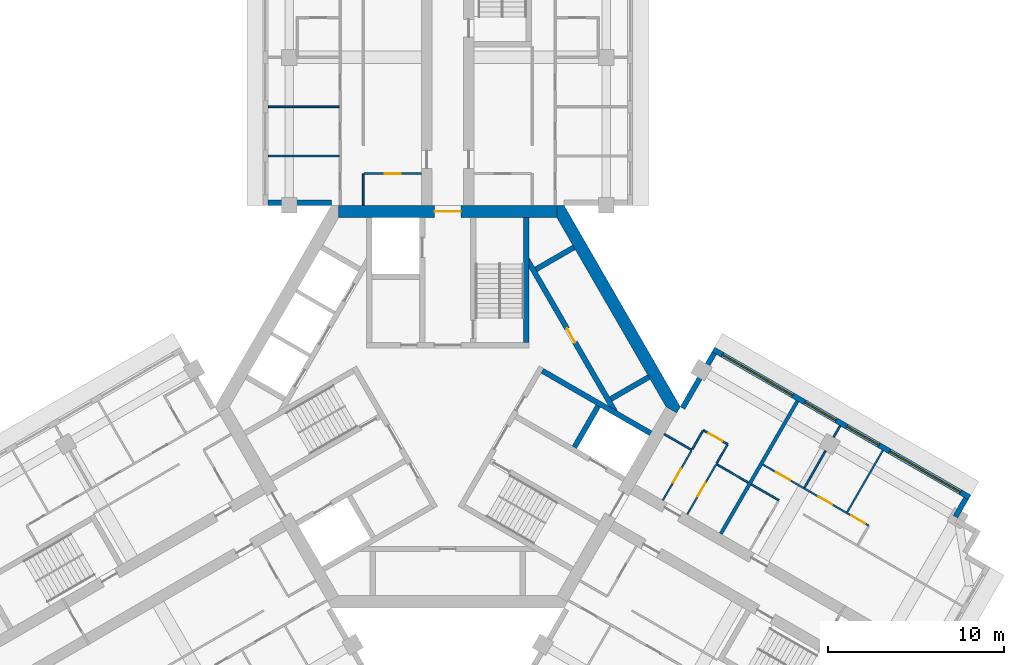
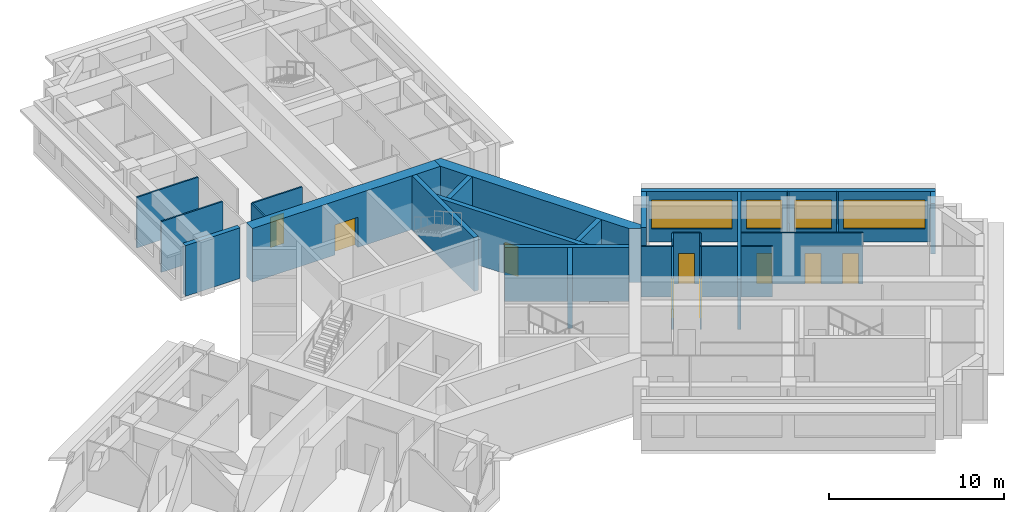
# One storey, part 6 of 10: 29 walls, 9 doors, 4 windows, 13 openings.
"""IFC4 building model written with IfcOpenShell, lengths in metres."""

from ifc_helpers import new_model, si_unit, direction, frame, frame_2d, origin, place, context, subcontext, project, spatial, polyline, rectangle, outline, extrude, material, layer, layer_set, type_object, element, fill, save


model = new_model("IFC4")

# Units and contexts
model_context = context("Model", 3, precision=1e-05, world=origin(), true_north=direction((0.0, 1.0)))
body_context = subcontext(model_context, "Body", "Model", "MODEL_VIEW")
ifc_project = project(units=[si_unit("LENGTHUNIT", "METRE"), si_unit("AREAUNIT", "SQUARE_METRE"), si_unit("VOLUMEUNIT", "CUBIC_METRE"), si_unit("PLANEANGLEUNIT", "RADIAN"), si_unit("MASSUNIT", "GRAM", prefix="KILO")], contexts=[model_context])

# Site, building, storey
site_placement = place(None, origin())
site = spatial("IfcSite", under=ifc_project, at=site_placement, CompositionType="ELEMENT")
building_placement = place(site_placement, origin())
building = spatial("IfcBuilding", under=site, at=building_placement, Name="Impinga Residences", CompositionType="ELEMENT")
storey_placement = place(building_placement, frame((0.0, 0.0, 263.5)))
storey = spatial("IfcBuildingStorey", under=building, at=storey_placement, Name="L66", CompositionType="ELEMENT", Elevation=263.5)

# Walls
ifc_material_1 = material(Name="Terracotta rainscreen on blockwork", Category="masonry")
ifc_layer_1 = layer(ifc_material_1, 0.300048828125)
ifc_layer_set_1 = layer_set([ifc_layer_1], Name="EW1 external wall, terracotta rainscreen on blockwork 300")
wall_type_1 = type_object("IfcWallType", Name="EW1 external wall, terracotta rainscreen on blockwork 300", PredefinedType="SOLIDWALL", material=ifc_layer_set_1)
wall_1_placement = place(storey_placement, frame((-6.60009765625, 11.58154296875, 0.0), z_axis=(0.0, 0.0, 1.0), x_axis=(-1.0, 0.0, 0.0)))
element("IfcWall", 1, at=wall_1_placement, inside=storey, type_object=wall_type_1, Name="External wall EW1 L66", PredefinedType="SOLIDWALL", context=body_context, shape_type="SweptSolid", body=[
    extrude(rectangle(XDim=3.599853515625, YDim=0.300048828125, at=frame_2d((1.7998046875, 0.0))), origin(), (0.0, 0.0, 1.0), 3.530029296875),
])
wall_2_placement = place(storey_placement, frame((13.329833984375, -0.074951171875, 0.0), z_axis=(0.0, 0.0, 1.0), x_axis=(0.500012057535, 0.866018442252, 0.0)))
element("IfcWall", 2, at=wall_2_placement, inside=storey, type_object=wall_type_1, Name="External wall EW1 L66", PredefinedType="SOLIDWALL", context=body_context, shape_type="SweptSolid", body=[
    extrude(rectangle(XDim=3.60009765625, YDim=0.300048828125, at=frame_2d((1.800048828125, 0.0))), origin(), (0.0, 0.0, 1.0), 3.530029296875),
])

# Wall, openings, windows
wall_3_placement = place(storey_placement, frame((15.074951171875, 3.24755859375, 0.0), z_axis=(0.0, 0.0, 1.0), x_axis=(0.86602925447, -0.499993330357, 0.0)))
wall_3 = element("IfcWall", 3, at=wall_3_placement, inside=storey, type_object=wall_type_1, Name="External wall EW1 L66", PredefinedType="SOLIDWALL", context=body_context, shape_type="SweptSolid", body=[
    extrude(rectangle(XDim=16.800048828125, YDim=0.300048828125, at=frame_2d((8.39990234375, 0.0))), origin(), (0.0, 0.0, 1.0), 3.530029296875),
])
opening_1_placement = place(wall_3_placement, frame((0.60009765625, 0.0, 0.89990234375)))
opening_1 = element("IfcOpeningElement", 4, at=opening_1_placement, cuts=wall_3, Name="Opening W3", PredefinedType="OPENING", context=body_context, shape_type="SweptSolid", body=[
    extrude(rectangle(XDim=4.60009765625, YDim=2.050048828125, at=frame_2d((2.300048828125, 1.02490234375))), frame((0.0, 0.159912109375, 0.0), z_axis=(0.0, -1.0, 0.0), x_axis=(1.0, 0.0, 0.0)), (0.0, 0.0, 1.0), 0.320068359375),
])
opening_2_placement = place(wall_3_placement, frame((6.0, 0.0, 0.89990234375)))
opening_2 = element("IfcOpeningElement", 5, at=opening_2_placement, cuts=wall_3, Name="Opening W14", PredefinedType="OPENING", context=body_context, shape_type="SweptSolid", body=[
    extrude(rectangle(XDim=2.050048828125, YDim=2.050048828125, at=frame_2d((1.02490234375, 1.02490234375))), frame((0.0, 0.159912109375, 0.0), z_axis=(0.0, -1.0, 0.0), x_axis=(1.0, 0.0, 0.0)), (0.0, 0.0, 1.0), 0.320068359375),
])
opening_3_placement = place(wall_3_placement, frame((8.75, 0.0, 0.89990234375)))
opening_3 = element("IfcOpeningElement", 6, at=opening_3_placement, cuts=wall_3, Name="Opening W9", PredefinedType="OPENING", context=body_context, shape_type="SweptSolid", body=[
    extrude(rectangle(XDim=2.10009765625, YDim=2.050048828125, at=frame_2d((1.050048828125, 1.02490234375))), frame((0.0, 0.159912109375, 0.0), z_axis=(0.0, -1.0, 0.0), x_axis=(1.0, 0.0, 0.0)), (0.0, 0.0, 1.0), 0.320068359375),
])
opening_4_placement = place(wall_3_placement, frame((11.550048828125, 0.0, 0.89990234375)))
opening_4 = element("IfcOpeningElement", 7, at=opening_4_placement, cuts=wall_3, Name="Opening W10", PredefinedType="OPENING", context=body_context, shape_type="SweptSolid", body=[
    extrude(rectangle(XDim=4.64990234375, YDim=2.050048828125, at=frame_2d((2.324951171875, 1.02490234375))), frame((0.0, 0.159912109375, 0.0), z_axis=(0.0, -1.0, 0.0), x_axis=(1.0, 0.0, 0.0)), (0.0, 0.0, 1.0), 0.320068359375),
])
ifc_material_2 = material(Name="Aluminium window, clear double glazing", Category="aluminium")
window_type_1 = type_object("IfcWindowType", Name="W10 ribbon window 4650x2050", PartitioningType="SINGLE_PANEL", PredefinedType="WINDOW", material=ifc_material_2)
window_1_placement = place(opening_4_placement, origin())
window_1 = element("IfcWindow", 8, at=window_1_placement, inside=storey, type_object=window_type_1, Name="Window L66", OverallHeight=2.050048828125, OverallWidth=4.64990234375, PartitioningType="SINGLE_PANEL", PredefinedType="WINDOW", context=body_context, shape_type="SweptSolid", body=[
    extrude(rectangle(XDim=4.64990234375, YDim=2.050048828125, at=frame_2d((2.324951171875, 1.02490234375))), frame((0.0, 0.030029296875, 0.0), z_axis=(0.0, -1.0, 0.0), x_axis=(1.0, 0.0, 0.0)), (0.0, 0.0, 1.0), 0.06005859375),
])
fill(opening_4, window_1)
window_type_2 = type_object("IfcWindowType", Name="W14 ribbon window 2050x2050", PartitioningType="SINGLE_PANEL", PredefinedType="WINDOW", material=ifc_material_2)
window_2_placement = place(opening_2_placement, origin())
window_2 = element("IfcWindow", 9, at=window_2_placement, inside=storey, type_object=window_type_2, Name="Window L66", OverallHeight=2.050048828125, OverallWidth=2.050048828125, PartitioningType="SINGLE_PANEL", PredefinedType="WINDOW", context=body_context, shape_type="SweptSolid", body=[
    extrude(rectangle(XDim=2.050048828125, YDim=2.050048828125, at=frame_2d((1.02490234375, 1.02490234375))), frame((0.0, 0.030029296875, 0.0), z_axis=(0.0, -1.0, 0.0), x_axis=(1.0, 0.0, 0.0)), (0.0, 0.0, 1.0), 0.06005859375),
])
fill(opening_2, window_2)
window_type_3 = type_object("IfcWindowType", Name="W3 ribbon window 4600x2050", PartitioningType="SINGLE_PANEL", PredefinedType="WINDOW", material=ifc_material_2)
window_3_placement = place(opening_1_placement, origin())
window_3 = element("IfcWindow", 10, at=window_3_placement, inside=storey, type_object=window_type_3, Name="Window L66", OverallHeight=2.050048828125, OverallWidth=4.60009765625, PartitioningType="SINGLE_PANEL", PredefinedType="WINDOW", context=body_context, shape_type="SweptSolid", body=[
    extrude(rectangle(XDim=4.60009765625, YDim=2.050048828125, at=frame_2d((2.300048828125, 1.02490234375))), frame((0.0, 0.030029296875, 0.0), z_axis=(0.0, -1.0, 0.0), x_axis=(1.0, 0.0, 0.0)), (0.0, 0.0, 1.0), 0.06005859375),
])
fill(opening_1, window_3)
window_type_4 = type_object("IfcWindowType", Name="W9 ribbon window 2100x2050", PartitioningType="SINGLE_PANEL", PredefinedType="WINDOW", material=ifc_material_2)
window_4_placement = place(opening_3_placement, origin())
window_4 = element("IfcWindow", 11, at=window_4_placement, inside=storey, type_object=window_type_4, Name="Window L66", OverallHeight=2.050048828125, OverallWidth=2.10009765625, PartitioningType="SINGLE_PANEL", PredefinedType="WINDOW", context=body_context, shape_type="SweptSolid", body=[
    extrude(rectangle(XDim=2.10009765625, YDim=2.050048828125, at=frame_2d((1.050048828125, 1.02490234375))), frame((0.0, 0.030029296875, 0.0), z_axis=(0.0, -1.0, 0.0), x_axis=(1.0, 0.0, 0.0)), (0.0, 0.0, 1.0), 0.06005859375),
])
fill(opening_3, window_4)

# Walls
wall_4_placement = place(storey_placement, frame((29.41943359375, -5.207275390625, 0.0), z_axis=(0.0, 0.0, 1.0), x_axis=(-0.500033551112, -0.866006032174, 0.0)))
element("IfcWall", 12, at=wall_4_placement, inside=storey, type_object=wall_type_1, Name="External wall EW1 L66", PredefinedType="SOLIDWALL", context=body_context, shape_type="SweptSolid", body=[
    extrude(rectangle(XDim=1.2001953125, YDim=0.300048828125, at=frame_2d((0.60009765625, 0.0))), origin(), (0.0, 0.0, 1.0), 3.530029296875),
])
ifc_material_3 = material(Name="Gypsum board on steel studs", Category="steel")
ifc_layer_2 = layer(ifc_material_3, 0.10009765625)
ifc_layer_set_2 = layer_set([ifc_layer_2], Name="Gypsum board on steel studs")
wall_type_2 = type_object("IfcWallType", Name="IP1 partition 100", PredefinedType="PARTITIONING", material=ifc_layer_set_2)
wall_5_placement = place(storey_placement, frame((-4.800048828125, 11.431640625, 0.0), z_axis=(0.0, 0.0, 1.0), x_axis=(0.0, 1.0, 0.0)))
element("IfcWall", 13, at=wall_5_placement, inside=storey, type_object=wall_type_2, Name="Partition L66-NA1:DIV0", PredefinedType="PARTITIONING", context=body_context, shape_type="SweptSolid", body=[
    extrude(rectangle(XDim=1.7998046875, YDim=0.10009765625, at=frame_2d((0.89990234375, 0.0))), origin(), (0.0, 0.0, 1.0), 3.530029296875),
])

# Wall, opening, door
wall_6_placement = place(storey_placement, frame((-1.5, 13.2314453125, 0.0), z_axis=(0.0, 0.0, 1.0), x_axis=(-1.0, 0.0, 0.0)))
wall_6 = element("IfcWall", 14, at=wall_6_placement, inside=storey, type_object=wall_type_2, Name="Partition L66-NA1:IB1", PredefinedType="PARTITIONING", context=body_context, shape_type="SweptSolid", body=[
    extrude(rectangle(XDim=3.25, YDim=0.10009765625, at=frame_2d((1.625, 0.0))), origin(), (0.0, 0.0, 1.0), 3.530029296875),
])
opening_5_placement = place(wall_6_placement, frame((1.175048828125, 0.0, 0.0)))
opening_5 = element("IfcOpeningElement", 15, at=opening_5_placement, cuts=wall_6, Name="Opening D2", PredefinedType="OPENING", context=body_context, shape_type="SweptSolid", body=[
    extrude(rectangle(XDim=0.89990234375, YDim=2.10009765625, at=frame_2d((0.449951171875, 1.050048828125))), frame((0.0, 0.06005859375, 0.0), z_axis=(0.0, -1.0, 0.0), x_axis=(1.0, 0.0, 0.0)), (0.0, 0.0, 1.0), 0.1201171875),
])
ifc_material_4 = material(Name="Timber door set", Category="wood")
door_type_1 = type_object("IfcDoorType", Name="D2 internal door 900x2100", OperationType="SINGLE_SWING_LEFT", PredefinedType="DOOR", material=ifc_material_4)
door_1_placement = place(opening_5_placement, origin())
door_1 = element("IfcDoor", 16, at=door_1_placement, inside=storey, type_object=door_type_1, Name="Apartment L66-NA1 bathroom door", OperationType="SINGLE_SWING_LEFT", OverallHeight=2.10009765625, OverallWidth=0.89990234375, PredefinedType="DOOR", context=body_context, shape_type="SweptSolid", body=[
    extrude(rectangle(XDim=0.89990234375, YDim=2.10009765625, at=frame_2d((0.449951171875, 1.050048828125))), frame((0.0, 0.02490234375, 0.0), z_axis=(0.0, -1.0, 0.0), x_axis=(1.0, 0.0, 0.0)), (0.0, 0.0, 1.0), 0.050048828125),
])
fill(opening_5, door_1)

# Walls
for number, where, z_axis, x_axis, name in (
    (17, (-6.14990234375, 14.2314453125, 0.0), (0.0, 0.0, 1.0), (-1.0, 0.0, 0.0), "Partition L66-NA1:OB1"),
    (18, (-6.14990234375, 17.031494140625, 0.0), (0.0, 0.0, 1.0), (-1.0, 0.0, 0.0), "Partition L66-NA1:OB2"),
):
    element("IfcWall", number, at=place(storey_placement, frame(where, z_axis=z_axis, x_axis=x_axis)), inside=storey, type_object=wall_type_2, Name=name, PredefinedType="PARTITIONING", context=body_context, shape_type="SweptSolid", body=[
        extrude(rectangle(XDim=4.050048828125, YDim=0.10009765625, at=frame_2d((2.02490234375, 0.0))), origin(), (0.0, 0.0, 1.0), 3.530029296875),
    ])
wall_7_placement = place(storey_placement, frame((12.300048828125, -1.558837890625, 0.0), z_axis=(0.0, 0.0, 1.0), x_axis=(0.866047807691, -0.499961193289, 0.0)))
element("IfcWall", 19, at=wall_7_placement, inside=storey, type_object=wall_type_2, Name="Partition L66-EA1:DIV0", PredefinedType="PARTITIONING", context=body_context, shape_type="SweptSolid", body=[
    extrude(rectangle(XDim=1.800048828125, YDim=0.10009765625, at=frame_2d((0.89990234375, 0.0))), origin(), (0.0, 0.0, 1.0), 3.530029296875),
])
wall_8_placement = place(storey_placement, frame((15.244384765625, -3.2587890625, 0.0), z_axis=(0.0, 0.0, 1.0), x_axis=(0.866038466041, -0.499977374825, 0.0)))
element("IfcWall", 20, at=wall_8_placement, inside=storey, type_object=wall_type_2, Name="Partition L66-EA1:DIV1", PredefinedType="PARTITIONING", context=body_context, shape_type="SweptSolid", body=[
    extrude(rectangle(XDim=2.10009765625, YDim=0.10009765625, at=frame_2d((1.050048828125, 0.0))), origin(), (0.0, 0.0, 1.0), 3.530029296875),
])

# Wall, opening, door
wall_9_placement = place(storey_placement, frame((14.5087890625, -1.3330078125, 0.0), z_axis=(0.0, 0.0, 1.0), x_axis=(0.866028054938, -0.499995408039, 0.0)))
wall_9 = element("IfcWall", 21, at=wall_9_placement, inside=storey, type_object=wall_type_2, Name="Partition L66-EA1:STRIP", PredefinedType="PARTITIONING", context=body_context, shape_type="SweptSolid", body=[
    extrude(rectangle(XDim=1.60009765625, YDim=0.10009765625, at=frame_2d((0.800048828125, 0.0))), origin(), (0.0, 0.0, 1.0), 3.530029296875),
])
opening_6_placement = place(wall_9_placement, frame((0.35009765625, 0.0, 0.0)))
opening_6 = element("IfcOpeningElement", 22, at=opening_6_placement, cuts=wall_9, Name="Opening D2", PredefinedType="OPENING", context=body_context, shape_type="SweptSolid", body=[
    extrude(rectangle(XDim=0.89990234375, YDim=2.10009765625, at=frame_2d((0.449951171875, 1.050048828125))), frame((0.0, 0.06005859375, 0.0), z_axis=(0.0, -1.0, 0.0), x_axis=(1.0, 0.0, 0.0)), (0.0, 0.0, 1.0), 0.1201171875),
])
door_2_placement = place(opening_6_placement, origin())
door_2 = element("IfcDoor", 23, at=door_2_placement, inside=storey, type_object=door_type_1, Name="Apartment L66-EA1 room door", OperationType="SINGLE_SWING_LEFT", OverallHeight=2.10009765625, OverallWidth=0.89990234375, PredefinedType="DOOR", context=body_context, shape_type="SweptSolid", body=[
    extrude(rectangle(XDim=0.89990234375, YDim=2.10009765625, at=frame_2d((0.449951171875, 1.050048828125))), frame((0.0, 0.02490234375, 0.0), z_axis=(0.0, -1.0, 0.0), x_axis=(1.0, 0.0, 0.0)), (0.0, 0.0, 1.0), 0.050048828125),
])
fill(opening_6, door_2)

# Walls
wall_10_placement = place(storey_placement, frame((13.8837890625, -2.41552734375, 0.0), z_axis=(0.0, 0.0, 1.0), x_axis=(0.500033551112, 0.866006032174, 0.0)))
element("IfcWall", 24, at=wall_10_placement, inside=storey, type_object=wall_type_2, Name="Partition L66-EA1:SE0", PredefinedType="PARTITIONING", context=body_context, shape_type="SweptSolid", body=[
    extrude(rectangle(XDim=1.2001953125, YDim=0.10009765625, at=frame_2d((0.60009765625, 0.0))), origin(), (0.0, 0.0, 1.0), 3.530029296875),
])
wall_11_placement = place(storey_placement, frame((15.26953125, -3.215576171875, 0.0), z_axis=(0.0, 0.0, 1.0), x_axis=(0.499880961361, 0.866094119867, 0.0)))
element("IfcWall", 25, at=wall_11_placement, inside=storey, type_object=wall_type_2, Name="Partition L66-EA1:SE1", PredefinedType="PARTITIONING", context=body_context, shape_type="SweptSolid", body=[
    extrude(rectangle(XDim=1.199951171875, YDim=0.10009765625, at=frame_2d((0.60009765625, 0.0))), origin(), (0.0, 0.0, 1.0), 3.530029296875),
])

# Wall, opening, door
wall_12_placement = place(storey_placement, frame((12.208740234375, -5.316650390625, 0.0), z_axis=(0.0, 0.0, 1.0), x_axis=(0.500017246033, 0.866015446554, 0.0)))
wall_12 = element("IfcWall", 26, at=wall_12_placement, inside=storey, type_object=wall_type_2, Name="Partition L66-EA1:IB1", PredefinedType="PARTITIONING", context=body_context, shape_type="SweptSolid", body=[
    extrude(rectangle(XDim=3.25, YDim=0.10009765625, at=frame_2d((1.625, 0.0))), origin(), (0.0, 0.0, 1.0), 3.530029296875),
])
opening_7_placement = place(wall_12_placement, frame((1.175048828125, 0.0, 0.0)))
opening_7 = element("IfcOpeningElement", 27, at=opening_7_placement, cuts=wall_12, Name="Opening D2", PredefinedType="OPENING", context=body_context, shape_type="SweptSolid", body=[
    extrude(rectangle(XDim=0.89990234375, YDim=2.10009765625, at=frame_2d((0.449951171875, 1.050048828125))), frame((0.0, 0.06005859375, 0.0), z_axis=(0.0, -1.0, 0.0), x_axis=(1.0, 0.0, 0.0)), (0.0, 0.0, 1.0), 0.1201171875),
])
door_3_placement = place(opening_7_placement, origin())
door_3 = element("IfcDoor", 28, at=door_3_placement, inside=storey, type_object=door_type_1, Name="Apartment L66-EA1 bathroom door", OperationType="SINGLE_SWING_LEFT", OverallHeight=2.10009765625, OverallWidth=0.89990234375, PredefinedType="DOOR", context=body_context, shape_type="SweptSolid", body=[
    extrude(rectangle(XDim=0.89990234375, YDim=2.10009765625, at=frame_2d((0.449951171875, 1.050048828125))), frame((0.0, 0.02490234375, 0.0), z_axis=(0.0, -1.0, 0.0), x_axis=(1.0, 0.0, 0.0)), (0.0, 0.0, 1.0), 0.050048828125),
])
fill(opening_7, door_3)

wall_13_placement = place(storey_placement, frame((13.594482421875, -6.11669921875, 0.0), z_axis=(0.0, 0.0, 1.0), x_axis=(0.500017246033, 0.866015446554, 0.0)))
wall_13 = element("IfcWall", 29, at=wall_13_placement, inside=storey, type_object=wall_type_2, Name="Partition L66-EA1:IB2", PredefinedType="PARTITIONING", context=body_context, shape_type="SweptSolid", body=[
    extrude(rectangle(XDim=3.25, YDim=0.10009765625, at=frame_2d((1.625, 0.0))), origin(), (0.0, 0.0, 1.0), 3.530029296875),
])
opening_8_placement = place(wall_13_placement, frame((1.175048828125, 0.0, 0.0)))
opening_8 = element("IfcOpeningElement", 30, at=opening_8_placement, cuts=wall_13, Name="Opening D2", PredefinedType="OPENING", context=body_context, shape_type="SweptSolid", body=[
    extrude(rectangle(XDim=0.89990234375, YDim=2.10009765625, at=frame_2d((0.449951171875, 1.050048828125))), frame((0.0, 0.06005859375, 0.0), z_axis=(0.0, -1.0, 0.0), x_axis=(1.0, 0.0, 0.0)), (0.0, 0.0, 1.0), 0.1201171875),
])
door_4_placement = place(opening_8_placement, origin())
door_4 = element("IfcDoor", 31, at=door_4_placement, inside=storey, type_object=door_type_1, Name="Apartment L66-EA1 WC door", OperationType="SINGLE_SWING_LEFT", OverallHeight=2.10009765625, OverallWidth=0.89990234375, PredefinedType="DOOR", context=body_context, shape_type="SweptSolid", body=[
    extrude(rectangle(XDim=0.89990234375, YDim=2.10009765625, at=frame_2d((0.449951171875, 1.050048828125))), frame((0.0, 0.02490234375, 0.0), z_axis=(0.0, -1.0, 0.0), x_axis=(1.0, 0.0, 0.0)), (0.0, 0.0, 1.0), 0.050048828125),
])
fill(opening_8, door_4)

# Wall
wall_14_placement = place(storey_placement, frame((17.236328125, -4.408935546875, 0.0), z_axis=(0.0, 0.0, 1.0), x_axis=(0.866047807691, -0.499961193289, 0.0)))
element("IfcWall", 32, at=wall_14_placement, inside=storey, type_object=wall_type_2, Name="Partition L66-EA2:DIV0", PredefinedType="PARTITIONING", context=body_context, shape_type="SweptSolid", body=[
    extrude(rectangle(XDim=1.800048828125, YDim=0.10009765625, at=frame_2d((0.89990234375, 0.0))), origin(), (0.0, 0.0, 1.0), 3.530029296875),
])

# Wall, openings, doors
wall_15_placement = place(storey_placement, frame((17.88623046875, -3.282958984375, 0.0), z_axis=(0.0, 0.0, 1.0), x_axis=(0.866025305473, -0.500000170281, 0.0)))
wall_15 = element("IfcWall", 33, at=wall_15_placement, inside=storey, type_object=wall_type_2, Name="Partition L66-EA2:STRIP", PredefinedType="PARTITIONING", context=body_context, shape_type="SweptSolid", body=[
    extrude(rectangle(XDim=6.9501953125, YDim=0.10009765625, at=frame_2d((3.47509765625, 0.0))), origin(), (0.0, 0.0, 1.0), 3.530029296875),
])
opening_9_placement = place(wall_15_placement, frame((0.875, 0.0, 0.0)))
opening_9 = element("IfcOpeningElement", 34, at=opening_9_placement, cuts=wall_15, Name="Opening D2", PredefinedType="OPENING", context=body_context, shape_type="SweptSolid", body=[
    extrude(rectangle(XDim=0.89990234375, YDim=2.10009765625, at=frame_2d((0.449951171875, 1.050048828125))), frame((0.0, 0.06005859375, 0.0), z_axis=(0.0, -1.0, 0.0), x_axis=(1.0, 0.0, 0.0)), (0.0, 0.0, 1.0), 0.1201171875),
])
opening_10_placement = place(wall_15_placement, frame((3.64990234375, 0.0, 0.0)))
opening_10 = element("IfcOpeningElement", 35, at=opening_10_placement, cuts=wall_15, Name="Opening D2", PredefinedType="OPENING", context=body_context, shape_type="SweptSolid", body=[
    extrude(rectangle(XDim=0.89990234375, YDim=2.10009765625, at=frame_2d((0.449951171875, 1.050048828125))), frame((0.0, 0.06005859375, 0.0), z_axis=(0.0, -1.0, 0.0), x_axis=(1.0, 0.0, 0.0)), (0.0, 0.0, 1.0), 0.1201171875),
])
opening_11_placement = place(wall_15_placement, frame((5.800048828125, 0.0, 0.0)))
opening_11 = element("IfcOpeningElement", 36, at=opening_11_placement, cuts=wall_15, Name="Opening D2", PredefinedType="OPENING", context=body_context, shape_type="SweptSolid", body=[
    extrude(rectangle(XDim=0.89990234375, YDim=2.10009765625, at=frame_2d((0.449951171875, 1.050048828125))), frame((0.0, 0.06005859375, 0.0), z_axis=(0.0, -1.0, 0.0), x_axis=(1.0, 0.0, 0.0)), (0.0, 0.0, 1.0), 0.1201171875),
])
door_5_placement = place(opening_9_placement, origin())
door_5 = element("IfcDoor", 37, at=door_5_placement, inside=storey, type_object=door_type_1, Name="Apartment L66-EA2 room door", OperationType="SINGLE_SWING_LEFT", OverallHeight=2.10009765625, OverallWidth=0.89990234375, PredefinedType="DOOR", context=body_context, shape_type="SweptSolid", body=[
    extrude(rectangle(XDim=0.89990234375, YDim=2.10009765625, at=frame_2d((0.449951171875, 1.050048828125))), frame((0.0, 0.02490234375, 0.0), z_axis=(0.0, -1.0, 0.0), x_axis=(1.0, 0.0, 0.0)), (0.0, 0.0, 1.0), 0.050048828125),
])
fill(opening_9, door_5)
door_6_placement = place(opening_10_placement, origin())
door_6 = element("IfcDoor", 38, at=door_6_placement, inside=storey, type_object=door_type_1, Name="Apartment L66-EA2 room door", OperationType="SINGLE_SWING_RIGHT", OverallHeight=2.10009765625, OverallWidth=0.89990234375, PredefinedType="DOOR", context=body_context, shape_type="SweptSolid", body=[
    extrude(rectangle(XDim=0.89990234375, YDim=2.10009765625, at=frame_2d((0.449951171875, 1.050048828125))), frame((0.0, 0.02490234375, 0.0), z_axis=(0.0, -1.0, 0.0), x_axis=(1.0, 0.0, 0.0)), (0.0, 0.0, 1.0), 0.050048828125),
])
fill(opening_10, door_6)
door_7_placement = place(opening_11_placement, origin())
door_7 = element("IfcDoor", 39, at=door_7_placement, inside=storey, type_object=door_type_1, Name="Apartment L66-EA2 room door", OperationType="SINGLE_SWING_RIGHT", OverallHeight=2.10009765625, OverallWidth=0.89990234375, PredefinedType="DOOR", context=body_context, shape_type="SweptSolid", body=[
    extrude(rectangle(XDim=0.89990234375, YDim=2.10009765625, at=frame_2d((0.449951171875, 1.050048828125))), frame((0.0, 0.02490234375, 0.0), z_axis=(0.0, -1.0, 0.0), x_axis=(1.0, 0.0, 0.0)), (0.0, 0.0, 1.0), 0.050048828125),
])
fill(opening_11, door_7)

# Walls
wall_16_placement = place(storey_placement, frame((20.24951171875, -4.589599609375, 0.0), z_axis=(0.0, 0.0, 1.0), x_axis=(0.500077600433, 0.865980596518, 0.0)))
element("IfcWall", 40, at=wall_16_placement, inside=storey, type_object=wall_type_2, Name="Partition L66-EA2:OB1", PredefinedType="PARTITIONING", context=body_context, shape_type="SweptSolid", body=[
    extrude(rectangle(XDim=2.39990234375, YDim=0.10009765625, at=frame_2d((1.199951171875, 0.0))), origin(), (0.0, 0.0, 1.0), 2.47998046875),
])
wall_17_placement = place(storey_placement, frame((21.899658203125, -1.73193359375, 0.0), z_axis=(0.0, 0.0, 1.0), x_axis=(0.499919672301, 0.866071776036, 0.0)))
element("IfcWall", 41, at=wall_17_placement, inside=storey, type_object=wall_type_2, Name="Partition L66-EA2:OB1b", PredefinedType="PARTITIONING", context=body_context, shape_type="SweptSolid", body=[
    extrude(rectangle(XDim=0.75, YDim=0.10009765625, at=frame_2d((0.375, 0.0))), origin(), (0.0, 0.0, 1.0), 3.530029296875),
])
wall_18_placement = place(storey_placement, frame((22.674560546875, -5.98974609375, 0.0), z_axis=(0.0, 0.0, 1.0), x_axis=(0.499990325971, 0.866030989016, 0.0)))
element("IfcWall", 42, at=wall_18_placement, inside=storey, type_object=wall_type_2, Name="Partition L66-EA2:OB2", PredefinedType="PARTITIONING", context=body_context, shape_type="SweptSolid", body=[
    extrude(rectangle(XDim=4.0498046875, YDim=0.10009765625, at=frame_2d((2.02490234375, 0.0))), origin(), (0.0, 0.0, 1.0), 3.530029296875),
])
ifc_material_5 = material(Name="Concrete blockwork", Category="masonry")
ifc_layer_3 = layer(ifc_material_5, 0.199951171875)
ifc_layer_set_3 = layer_set([ifc_layer_3], Name="PW1 party wall between apartments 200")
wall_type_3 = type_object("IfcWallType", Name="PW1 party wall between apartments 200", PredefinedType="SOLIDWALL", material=ifc_layer_set_3)
wall_19_placement = place(storey_placement, frame((15.499755859375, -7.216796875, 0.0), z_axis=(0.0, 0.0, 1.0), x_axis=(0.500008278454, 0.866020624164, 0.0)))
element("IfcWall", 43, at=wall_19_placement, inside=storey, type_object=wall_type_3, Name="Party wall between apartments L66-EA1:PARTY", PredefinedType="SOLIDWALL", context=body_context, shape_type="SweptSolid", body=[
    extrude(rectangle(XDim=8.699951171875, YDim=0.199951171875, at=frame_2d((4.35009765625, 0.0))), origin(), (0.0, 0.0, 1.0), 3.530029296875),
])

# Wall, opening, door
ifc_material_6 = material(Name="Concrete C60/75", Category="concrete")
ifc_layer_4 = layer(ifc_material_6, 0.699951171875)
ifc_layer_set_4 = layer_set([ifc_layer_4], Name="Concrete C60/75")
wall_type_4 = type_object("IfcWallType", Name="SW3 core wall 700", PredefinedType="SHEAR", material=ifc_layer_set_4)
wall_20_placement = place(storey_placement, frame((-6.19580078125, 11.08154296875, 0.0), z_axis=(0.0, 0.0, 1.0), x_axis=(1.0, 0.0, 0.0)))
wall_20 = element("IfcWall", 44, at=wall_20_placement, inside=storey, type_object=wall_type_4, Name="Core wall SW3 N:FACE L66", PredefinedType="SHEAR", context=body_context, shape_type="SweptSolid", body=[
    extrude(rectangle(XDim=12.3916015625, YDim=0.699951171875, at=frame_2d((6.19580078125, 0.0))), origin(), (0.0, 0.0, 1.0), 3.75),
])
opening_12_placement = place(wall_20_placement, frame((5.44580078125, 0.0, 0.0)))
opening_12 = element("IfcOpeningElement", 45, at=opening_12_placement, cuts=wall_20, Name="Opening D4", PredefinedType="OPENING", context=body_context, shape_type="SweptSolid", body=[
    extrude(rectangle(XDim=1.5, YDim=2.10009765625, at=frame_2d((0.75, 1.050048828125))), frame((0.0, 0.35986328125, 0.0), z_axis=(0.0, -1.0, 0.0), x_axis=(1.0, 0.0, 0.0)), (0.0, 0.0, 1.0), 0.719970703125),
])
door_type_2 = type_object("IfcDoorType", Name="D4 lobby door pair 1500x2100", OperationType="DOUBLE_DOOR_DOUBLE_SWING", PredefinedType="DOOR", material=ifc_material_4)
door_8_placement = place(opening_12_placement, origin())
door_8 = element("IfcDoor", 46, at=door_8_placement, inside=storey, type_object=door_type_2, Name="Lobby door N", OperationType="DOUBLE_DOOR_DOUBLE_SWING", OverallHeight=2.10009765625, OverallWidth=1.5, PredefinedType="DOOR", context=body_context, shape_type="SweptSolid", body=[
    extrude(rectangle(XDim=1.5, YDim=2.10009765625, at=frame_2d((0.75, 1.050048828125))), frame((0.0, 0.02490234375, 0.0), z_axis=(0.0, -1.0, 0.0), x_axis=(1.0, 0.0, 0.0)), (0.0, 0.0, 1.0), 0.050048828125),
])
fill(opening_12, door_8)

# Walls
wall_21_placement = place(storey_placement, origin())
element("IfcWall", 47, at=wall_21_placement, inside=storey, type_object=wall_type_4, Name="Core wall SW3 W:EXPOSED L66", PredefinedType="SHEAR", context=body_context, shape_type="SweptSolid", body=[
    extrude(outline(polyline([(13.199951171875, 0.0), (6.60009765625, 11.431640625), (6.19580078125, 11.431640625), (6.19580078125, 10.7314453125), (12.3916015625, 0.0), (12.998046875, -0.35009765625), (13.199951171875, 0.0)])), origin(), (0.0, 0.0, 1.0), 3.75),
])
ifc_material_7 = material(Name="Concrete C70/85", Category="concrete")
ifc_layer_5 = layer(ifc_material_7, 0.300048828125)
ifc_layer_set_5 = layer_set([ifc_layer_5], Name="Concrete C70/85")
wall_type_5 = type_object("IfcWallType", Name="SW5 core inner wall, stairs, shafts and lobbies 300", PredefinedType="SHEAR", material=ifc_layer_set_5)
for number, where, z_axis, x_axis, name in (
    (48, (4.449951171875, 3.6298828125, 0.0), (0.0, 0.0, 1.0), (0.0, 1.0, 0.0), "Core wall SW5 N:ST-OUT L66"),
    (49, (5.36865234375, 2.038818359375, 0.0), (0.0, 0.0, 1.0), (0.866025859768, -0.499999210213, 0.0), "Core wall SW5 E:FF-OUT L66"),
):
    element("IfcWall", number, at=place(storey_placement, frame(where, z_axis=z_axis, x_axis=x_axis)), inside=storey, type_object=wall_type_5, Name=name, PredefinedType="SHEAR", context=body_context, shape_type="SweptSolid", body=[
        extrude(rectangle(XDim=7.1015625, YDim=0.300048828125, at=frame_2d((3.55078125, 0.0))), origin(), (0.0, 0.0, 1.0), 3.75),
    ])
wall_22_placement = place(storey_placement, frame((8.541259765625, 0.033935546875, 0.0), z_axis=(0.0, 0.0, 1.0), x_axis=(-0.50000943426, -0.866019956843, 0.0)))
element("IfcWall", 50, at=wall_22_placement, inside=storey, type_object=wall_type_5, Name="Core wall SW5 E:FF-RS L66", PredefinedType="SHEAR", context=body_context, shape_type="SweptSolid", body=[
    extrude(rectangle(XDim=2.7001953125, YDim=0.300048828125, at=frame_2d((1.35009765625, 0.0))), origin(), (0.0, 0.0, 1.0), 3.75),
])

# Wall, opening, door
wall_23_placement = place(storey_placement, frame((4.449951171875, 8.455322265625, 0.0), z_axis=(0.0, 0.0, 1.0), x_axis=(0.500002290144, -0.866024081565, 0.0)))
wall_23 = element("IfcWall", 51, at=wall_23_placement, inside=storey, type_object=wall_type_5, Name="Core wall SW5 W:BANK-FRONT L66", PredefinedType="SHEAR", context=body_context, shape_type="SweptSolid", body=[
    extrude(rectangle(XDim=10.1953125, YDim=0.300048828125, at=frame_2d((5.09765625, 0.0))), origin(), (0.0, 0.0, 1.0), 3.75),
])
opening_13_placement = place(wall_23_placement, frame((4.647705078125, 0.0, 0.0)))
opening_13 = element("IfcOpeningElement", 52, at=opening_13_placement, cuts=wall_23, Name="Opening D6", PredefinedType="OPENING", context=body_context, shape_type="SweptSolid", body=[
    extrude(rectangle(XDim=0.89990234375, YDim=2.10009765625, at=frame_2d((0.449951171875, 1.050048828125))), frame((0.0, 0.159912109375, 0.0), z_axis=(0.0, -1.0, 0.0), x_axis=(1.0, 0.0, 0.0)), (0.0, 0.0, 1.0), 0.320068359375),
])
door_type_3 = type_object("IfcDoorType", Name="D6 riser and store door 900x2100", OperationType="SINGLE_SWING_LEFT", PredefinedType="DOOR", material=ifc_material_4)
door_9_placement = place(opening_13_placement, origin())
door_9 = element("IfcDoor", 53, at=door_9_placement, inside=storey, type_object=door_type_3, Name="Residents' parcel room door", OperationType="SINGLE_SWING_RIGHT", OverallHeight=2.10009765625, OverallWidth=0.89990234375, PredefinedType="DOOR", context=body_context, shape_type="SweptSolid", body=[
    extrude(rectangle(XDim=0.89990234375, YDim=2.10009765625, at=frame_2d((0.449951171875, 1.050048828125))), frame((0.0, 0.02490234375, 0.0), z_axis=(0.0, -1.0, 0.0), x_axis=(1.0, 0.0, 0.0)), (0.0, 0.0, 1.0), 0.050048828125),
])
fill(opening_13, door_9)

# Walls
for number, where, z_axis, x_axis, name in (
    (54, (5.003662109375, 7.79638671875, 0.0), (0.0, 0.0, 1.0), (0.866022959057, 0.500004234368, 0.0), "Core wall SW5 W:BANK-L L66"),
    (55, (9.253662109375, 0.43505859375, 0.0), (0.0, 0.0, 1.0), (0.866022959057, 0.500004234368, 0.0), "Core wall SW5 W:BANK-R L66"),
):
    element("IfcWall", number, at=place(storey_placement, frame(where, z_axis=z_axis, x_axis=x_axis)), inside=storey, type_object=wall_type_5, Name=name, PredefinedType="SHEAR", context=body_context, shape_type="SweptSolid", body=[
        extrude(rectangle(XDim=2.5, YDim=0.300048828125, at=frame_2d((1.25, 0.0))), origin(), (0.0, 0.0, 1.0), 3.75),
    ])

save(model, "model.ifc")
